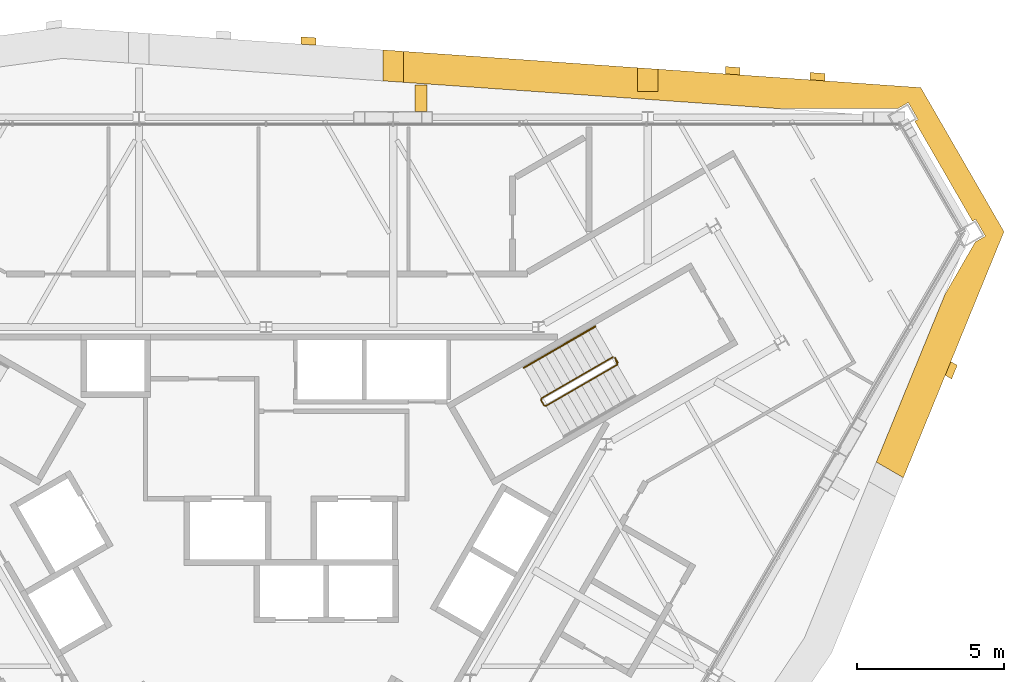
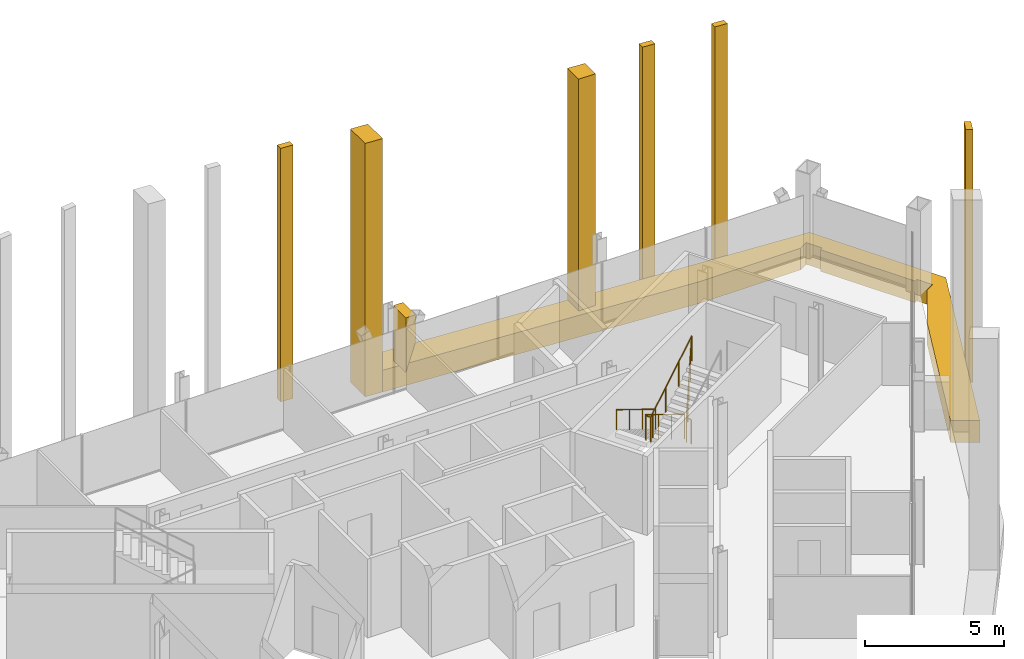
# One storey, part 14 of 14: 8 coverings, 2 railings.
"""IFC4 building model written with IfcOpenShell, lengths in metres."""

from ifc_helpers import new_model, si_unit, direction, frame, origin, origin_2d, place, context, subcontext, project, spatial, polyline, circle, outline, extrude, material, layer, layer_set, type_object, element, save


model = new_model("IFC4")

# Units and contexts
model_context = context("Model", 3, precision=1e-05, world=origin(), true_north=direction((0.0, 1.0)))
body_context = subcontext(model_context, "Body", "Model", "MODEL_VIEW")
ifc_project = project(units=[si_unit("LENGTHUNIT", "METRE"), si_unit("AREAUNIT", "SQUARE_METRE"), si_unit("VOLUMEUNIT", "CUBIC_METRE"), si_unit("PLANEANGLEUNIT", "RADIAN"), si_unit("MASSUNIT", "GRAM", prefix="KILO")], contexts=[model_context])

# Site, building, storey
site_placement = place(None, origin())
site = spatial("IfcSite", under=ifc_project, at=site_placement, CompositionType="ELEMENT")
building_placement = place(site_placement, origin())
building = spatial("IfcBuilding", under=site, at=building_placement, Name="Verrane Prism Tower", CompositionType="ELEMENT")
storey_placement = place(building_placement, frame((0.0, 0.0, 206.39990234375)))
storey = spatial("IfcBuildingStorey", under=building, at=storey_placement, Name="L51", CompositionType="ELEMENT", Elevation=206.39990234375)

# Railings
ifc_material_1 = material(Name="Steel A36 rail and posts, no infill", Category="steel")
railing_type_1 = type_object("IfcRailingType", Name="Stair guard 1100 steel rail and posts", PredefinedType="GUARDRAIL", material=ifc_material_1)
railing_1_placement = place(storey_placement, frame((11.78955078125, 6.97998046875, 0.168212890625)))
element("IfcRailing", 1, at=railing_1_placement, inside=storey, type_object=railing_type_1, Name="Stair 1 guard", PredefinedType="GUARDRAIL", context=body_context, shape_type="SweptSolid", body=[
    extrude(circle(Radius=0.02392578125, at=origin_2d()), frame((0.0, 0.0, 1.076171875), z_axis=(-0.742366697286, -0.42866220388, 0.514917859203), x_axis=(0.500049511043, -0.865996816683, 0.0)), (0.0, 0.0, 1.0), 3.266357421875),
    extrude(circle(Radius=0.02392578125, at=origin_2d()), frame((-2.4248046875, -1.400146484375, 2.7578125), z_axis=(-0.259601060869, -0.965715946433, 0.0), x_axis=(0.965715946433, -0.259601060869, 0.0)), (0.0, 0.0, 1.0), 0.070556640625),
    extrude(circle(Radius=0.02392578125, at=origin_2d()), frame((-2.443115234375, -1.46826171875, 2.7578125), z_axis=(0.499158860599, -0.866510491504, 0.0), x_axis=(0.866510491504, 0.499158860599, 0.0)), (0.0, 0.0, 1.0), 0.199951171875),
    extrude(circle(Radius=0.02392578125, at=origin_2d()), frame((-2.34326171875, -1.6416015625, 2.7578125), z_axis=(0.374585375571, -0.100335368456, 0.921747584887), x_axis=(0.258736085224, 0.965948051503, 0.0)), (0.0, 0.0, 1.0), 0.182373046875),
    extrude(circle(Radius=0.02392578125, at=origin_2d()), frame((-2.27490234375, -1.659912109375, 2.92626953125), z_axis=(0.742366697286, 0.42866220388, 0.514917859203), x_axis=(-0.500049511043, 0.865996816683, 0.0)), (0.0, 0.0, 1.0), 3.266357421875),
    extrude(circle(Radius=0.02392578125, at=origin_2d()), frame((0.14990234375, -0.259765625, 4.60791015625), z_axis=(-0.021985391189, 0.065100454749, -0.997636493602), x_axis=(-0.947430582667, -0.3199613899, 0.0)), (0.0, 0.0, 1.0), 3.708984375),
    extrude(circle(Radius=0.02392578125, at=origin_2d()), frame((0.068359375, -0.018310546875, 0.90771484375), z_axis=(0.499158860599, -0.866510491504, 0.0), x_axis=(0.866510491504, 0.499158860599, 0.0)), (0.0, 0.0, 1.0), 0.199951171875),
    extrude(circle(Radius=0.02099609375, at=origin_2d()), origin(), (0.0, 0.0, 1.0), 1.052001953125),
    extrude(circle(Radius=0.02099609375, at=origin_2d()), frame((-0.808349609375, -0.466796875, 0.560546875)), (0.0, 0.0, 1.0), 1.052001953125),
    extrude(circle(Radius=0.02099609375, at=origin_2d()), frame((-1.616455078125, -0.933349609375, 1.121337890625)), (0.0, 0.0, 1.0), 1.052001953125),
    extrude(circle(Radius=0.02099609375, at=origin_2d()), frame((-2.4248046875, -1.400146484375, 1.681884765625)), (0.0, 0.0, 1.0), 1.052001953125),
    extrude(circle(Radius=0.02099609375, at=origin_2d()), frame((-2.443115234375, -1.46826171875, 1.681884765625)), (0.0, 0.0, 1.0), 1.052001953125),
    extrude(circle(Radius=0.02099609375, at=origin_2d()), frame((-2.34326171875, -1.6416015625, 1.681884765625)), (0.0, 0.0, 1.0), 1.052001953125),
    extrude(circle(Radius=0.02099609375, at=origin_2d()), frame((-2.27490234375, -1.659912109375, 1.85009765625)), (0.0, 0.0, 1.0), 1.052001953125),
    extrude(circle(Radius=0.02099609375, at=origin_2d()), frame((-1.466552734375, -1.193115234375, 2.41064453125)), (0.0, 0.0, 1.0), 1.052001953125),
    extrude(circle(Radius=0.02099609375, at=origin_2d()), frame((-0.658447265625, -0.7265625, 2.971435546875)), (0.0, 0.0, 1.0), 1.052001953125),
    extrude(circle(Radius=0.02099609375, at=origin_2d()), frame((0.14990234375, -0.259765625, 3.531982421875)), (0.0, 0.0, 1.0), 1.052001953125),
    extrude(circle(Radius=0.02099609375, at=origin_2d()), frame((0.12939453125, -0.199462890625, 2.60693359375)), (0.0, 0.0, 1.0), 1.052001953125),
    extrude(circle(Radius=0.02099609375, at=origin_2d()), frame((0.109130859375, -0.13916015625, 1.681884765625)), (0.0, 0.0, 1.0), 1.052001953125),
    extrude(circle(Radius=0.02099609375, at=origin_2d()), frame((0.0888671875, -0.07861328125, 0.7568359375)), (0.0, 0.0, 1.0), 1.052001953125),
    extrude(circle(Radius=0.02099609375, at=origin_2d()), frame((0.068359375, -0.018310546875, -0.168212890625)), (0.0, 0.0, 1.0), 1.052001953125),
    extrude(circle(Radius=0.02099609375, at=origin_2d()), frame((0.168212890625, -0.191650390625, -0.168212890625)), (0.0, 0.0, 1.0), 1.052001953125),
])
ifc_material_2 = material(Name="Steel A36 tube", Category="steel")
railing_type_2 = type_object("IfcRailingType", Name="Stair handrail 900 steel tube", PredefinedType="HANDRAIL", material=ifc_material_2)
railing_2_placement = place(storey_placement, frame((11.189453125, 8.01904296875, 0.168212890625)))
element("IfcRailing", 2, at=railing_2_placement, inside=storey, type_object=railing_type_2, Name="Stair 1 handrail", PredefinedType="HANDRAIL", context=body_context, shape_type="SweptSolid", body=[
    extrude(circle(Radius=0.02392578125, at=origin_2d()), frame((0.0, 0.0, 0.8759765625), z_axis=(-0.742390482028, -0.42860119049, 0.514934356695), x_axis=(0.49998411664, -0.866034573852, 0.0)), (0.0, 0.0, 1.0), 3.26611328125),
    extrude(circle(Radius=0.02099609375, at=origin_2d()), origin(), (0.0, 0.0, 1.0), 0.851806640625),
    extrude(circle(Radius=0.02099609375, at=origin_2d()), frame((-0.808349609375, -0.466552734375, 0.560546875)), (0.0, 0.0, 1.0), 0.851806640625),
    extrude(circle(Radius=0.02099609375, at=origin_2d()), frame((-1.616455078125, -0.933349609375, 1.121337890625)), (0.0, 0.0, 1.0), 0.851806640625),
    extrude(circle(Radius=0.02099609375, at=origin_2d()), frame((-2.4248046875, -1.39990234375, 1.681884765625)), (0.0, 0.0, 1.0), 0.851806640625),
])

# Coverings
ifc_material_3 = material(Name="Warm limestone cladding", Category="masonry")
ifc_layer_1 = layer(ifc_material_3, 0.89990234375)
ifc_layer_set_1 = layer_set([ifc_layer_1], Name="Stone brace fin 900")
covering_type_1 = type_object("IfcCoveringType", Name="Stone brace fin 900", PredefinedType="CLADDING", material=ifc_layer_set_1)
covering_1_placement = place(storey_placement, frame((5.068115234375, 15.783203125, 0.35107421875), z_axis=(0.0, 0.0, 1.0), x_axis=(1.0, 0.0, 0.0)))
element("IfcCovering", 3, at=covering_1_placement, inside=storey, type_object=covering_type_1, Name="Stone brace fin N2 L51", PredefinedType="CLADDING", context=body_context, shape_type="SweptSolid", body=[
    extrude(outline(polyline([(0.4033203125, 2.39892578125), (0.0, 2.39892578125), (0.0, 0.0), (0.4033203125, 1.2080078125), (0.4033203125, 2.39892578125)])), frame((0.0, 0.449951171875, 0.0), z_axis=(0.0, -1.0, 0.0), x_axis=(1.0, 0.0, 0.0)), (0.0, 0.0, 1.0), 0.89990234375),
])
ifc_material_4 = material(Name="Warm limestone cladding", Category="masonry")
covering_type_2 = type_object("IfcCoveringType", Name="Stone mullion pier 500", PredefinedType="CLADDING", material=ifc_material_4)
covering_2_placement = place(storey_placement, frame((0.0, 0.0, -0.949951171875)))
element("IfcCovering", 4, at=covering_2_placement, inside=storey, type_object=covering_type_2, Name="Stone pier SM-N0.1 L51-L53", PredefinedType="CLADDING", context=body_context, shape_type="SweptSolid", body=[
    extrude(outline(polyline([(18.49072265625, 16.402099609375), (18.99072265625, 16.3671875), (18.99072265625, 16.61767578125), (18.49072265625, 16.652587890625), (18.49072265625, 16.402099609375)])), origin(), (0.0, 0.0, 1.0), 11.10009765625),
])
covering_3_placement = place(storey_placement, frame((0.0, 0.0, -0.949951171875)))
element("IfcCovering", 5, at=covering_3_placement, inside=storey, type_object=covering_type_2, Name="Stone pier SM-N0.2 L51-L53", PredefinedType="CLADDING", context=body_context, shape_type="SweptSolid", body=[
    extrude(outline(polyline([(15.607421875, 16.60400390625), (16.107421875, 16.569091796875), (16.107421875, 16.819580078125), (15.607421875, 16.854736328125), (15.607421875, 16.60400390625)])), origin(), (0.0, 0.0, 1.0), 11.10009765625),
])
covering_4_placement = place(storey_placement, frame((0.0, 0.0, -0.949951171875)))
element("IfcCovering", 6, at=covering_4_placement, inside=storey, type_object=covering_type_2, Name="Stone pier SM-N2.1 L51-L53", PredefinedType="CLADDING", context=body_context, shape_type="SweptSolid", body=[
    extrude(outline(polyline([(1.191650390625, 17.6142578125), (1.691650390625, 17.5791015625), (1.691650390625, 17.829833984375), (1.191650390625, 17.86474609375), (1.191650390625, 17.6142578125)])), origin(), (0.0, 0.0, 1.0), 11.10009765625),
])
covering_5_placement = place(storey_placement, frame((0.0, 0.0, -0.949951171875)))
element("IfcCovering", 7, at=covering_5_placement, inside=storey, type_object=covering_type_2, Name="Stone pier SM-SE4.1 L51-L53", PredefinedType="CLADDING", context=body_context, shape_type="SweptSolid", body=[
    extrude(outline(polyline([(23.275146484375, 6.826171875), (23.083984375, 6.35888671875), (23.302490234375, 6.23291015625), (23.49365234375, 6.699951171875), (23.275146484375, 6.826171875)])), origin(), (0.0, 0.0, 1.0), 11.10009765625),
])
ifc_material_5 = material(Name="Warm limestone cladding", Category="masonry")
covering_type_3 = type_object("IfcCoveringType", Name="Stone pier 700", PredefinedType="CLADDING", material=ifc_material_5)
covering_6_placement = place(storey_placement, frame((0.0, 0.0, -0.949951171875)))
element("IfcCovering", 8, at=covering_6_placement, inside=storey, type_object=covering_type_3, Name="Stone pier PC-N1 L51-L53", PredefinedType="CLADDING", context=body_context, shape_type="SweptSolid", body=[
    extrude(outline(polyline([(12.624267578125, 16.01416015625), (13.32421875, 16.01416015625), (13.32421875, 16.76416015625), (12.624267578125, 16.813232421875), (12.624267578125, 16.01416015625)])), origin(), (0.0, 0.0, 1.0), 11.10009765625),
])
covering_7_placement = place(storey_placement, frame((0.0, 0.0, -0.949951171875)))
element("IfcCovering", 9, at=covering_7_placement, inside=storey, type_object=covering_type_3, Name="Stone pier PC-N2 L51-L53", PredefinedType="CLADDING", context=body_context, shape_type="SweptSolid", body=[
    extrude(outline(polyline([(3.974853515625, 17.419189453125), (3.974853515625, 16.36669921875), (4.6748046875, 16.317626953125), (4.6748046875, 17.3701171875), (3.974853515625, 17.419189453125)])), origin(), (0.0, 0.0, 1.0), 11.10009765625),
])
ifc_material_6 = material(Name="Warm limestone cladding", Category="masonry")
ifc_layer_2 = layer(ifc_material_6, 0.449951171875)
ifc_layer_set_2 = layer_set([ifc_layer_2], Name="Stone spandrel band 450")
covering_type_4 = type_object("IfcCoveringType", Name="Stone spandrel band 450", PredefinedType="CLADDING", material=ifc_layer_set_2)
covering_8_placement = place(storey_placement, frame((0.0, 0.0, -0.949951171875)))
element("IfcCovering", 10, at=covering_8_placement, inside=storey, type_object=covering_type_4, Name="Stone spandrel band L51 part 2", PredefinedType="CLADDING", context=body_context, shape_type="SweptSolid", body=[
    extrude(outline(polyline([(4.6748046875, 17.3701171875), (4.6748046875, 16.317626953125), (17.34228515625, 15.429931640625), (19.1748046875, 15.429931640625), (19.176513671875, 15.432373046875), (19.1796875, 15.429931640625), (21.4794921875, 15.429931640625), (21.827392578125, 15.630859375), (22.157470703125, 15.05908203125), (22.047607421875, 14.995849609375), (24.00927734375, 11.598388671875), (24.117431640625, 11.660888671875), (24.447509765625, 11.089111328125), (24.105224609375, 10.8916015625), (23.072021484375, 9.101806640625), (20.74267578125, 3.409912109375), (21.660400390625, 2.8798828125), (25.081787109375, 11.240966796875), (22.254150390625, 16.138427734375), (13.32421875, 16.76416015625), (13.32421875, 16.01416015625), (12.624267578125, 16.01416015625), (12.624267578125, 16.813232421875), (4.6748046875, 17.3701171875)])), origin(), (0.0, 0.0, 1.0), 0.949951171875),
])

save(model, "model.ifc")
